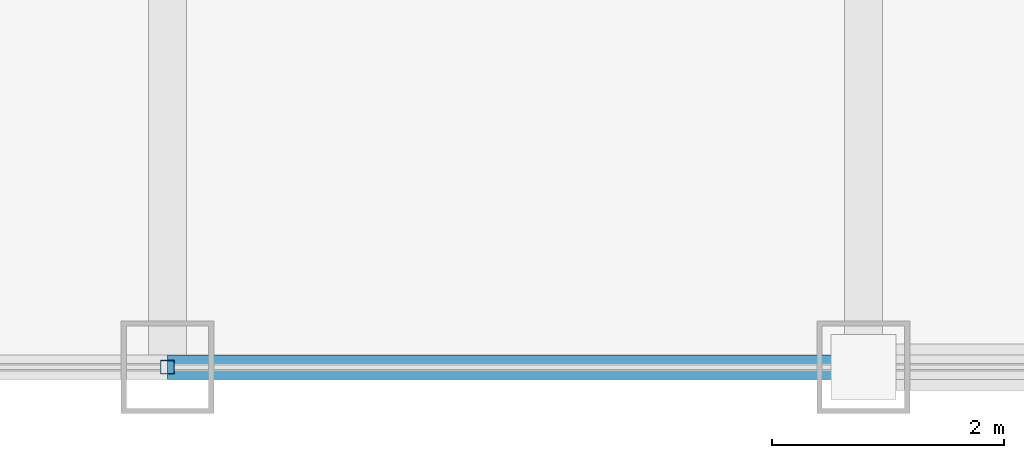
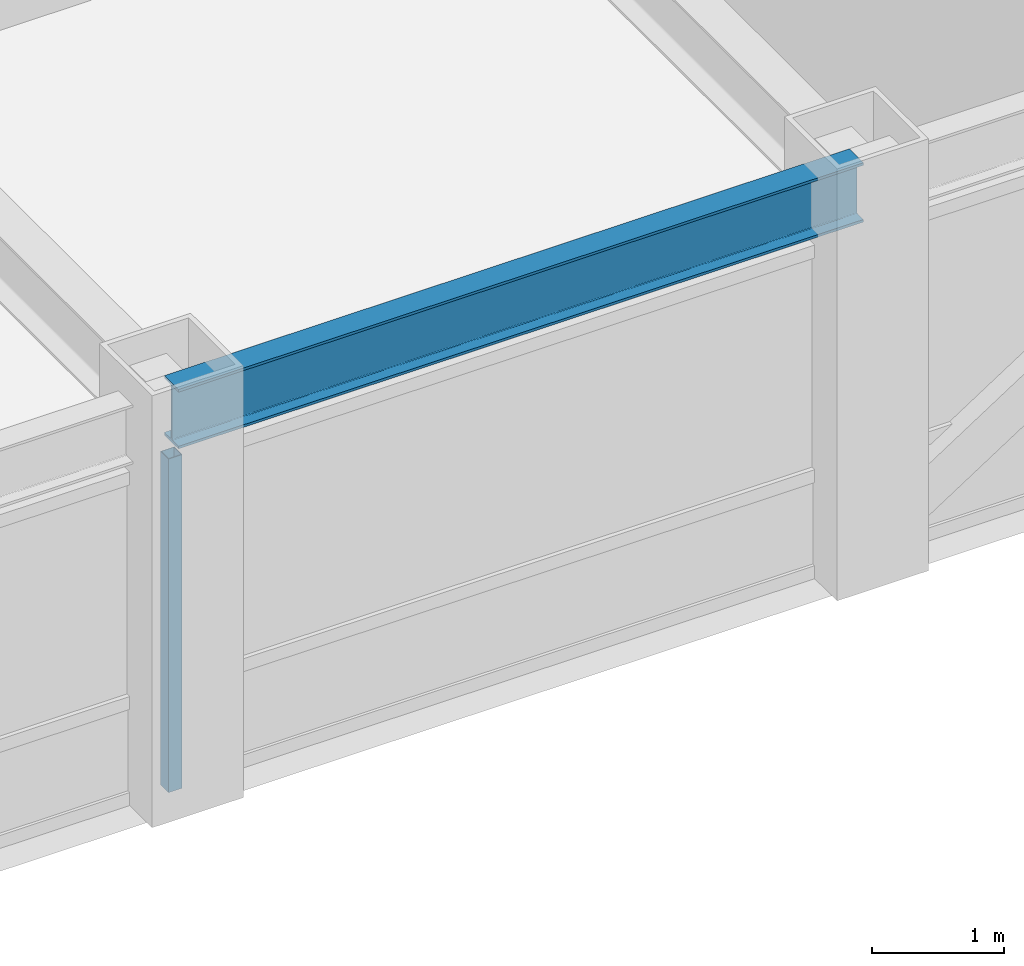
# One storey, part 4 of 28: 1 beam, 1 member, 1 element without a shape of its own.
"""IFC4 building model written with IfcOpenShell, lengths in metres."""

from ifc_helpers import new_model, si_unit, direction, frame, origin, origin_2d, place, context, subcontext, project, spatial, hollow_rectangle, i_section, extrude, source, transform, mapped, material, material_profile, profile_set, type_object, element, aggregate, save


model = new_model("IFC4")

# Units and contexts
model_context = context("Model", 3, precision=1e-05, world=origin(), true_north=direction((0.0, 1.0)))
body_context = subcontext(model_context, "Body", "Model", "MODEL_VIEW")
ifc_project = project(units=[si_unit("LENGTHUNIT", "METRE"), si_unit("AREAUNIT", "SQUARE_METRE"), si_unit("VOLUMEUNIT", "CUBIC_METRE"), si_unit("PLANEANGLEUNIT", "RADIAN"), si_unit("MASSUNIT", "GRAM", prefix="KILO")], contexts=[model_context])

# Site, building, storey
site_placement = place(None, origin())
site = spatial("IfcSite", under=ifc_project, at=site_placement, CompositionType="ELEMENT")
building_placement = place(site_placement, origin())
building = spatial("IfcBuilding", under=site, at=building_placement, Name="Khorayat Bourse Tower", CompositionType="ELEMENT")
storey_placement = place(building_placement, frame((0.0, 0.0, 338.300048828125)))
storey = spatial("IfcBuildingStorey", under=building, at=storey_placement, Name="L80", CompositionType="ELEMENT", Elevation=338.300048828125)

# Beam
ifc_material_1 = material(Name="Steel ASTM A992 Grade 50", Category="steel")
ifc_material_profile_1 = material_profile(ifc_material_1, i_section(OverallWidth=0.214111328125, OverallDepth=0.549072265625, WebThickness=0.0146484375, FlangeThickness=0.023681640625, FilletRadius=0.013916015625, at=origin_2d()), Name="W530X138")
ifc_profile_set_1 = profile_set([ifc_material_profile_1], Name="Steel ASTM A992 Grade 50")
beam_type = type_object("IfcBeamType", Name="BM-SPAN-530", PredefinedType="SPANDREL", material=ifc_profile_set_1)
shared_shape_1 = source(origin(), body_context, "Body", "SweptSolid", [
    extrude(i_section(OverallWidth=0.214111328125, OverallDepth=0.549072265625, WebThickness=0.0146484375, FlangeThickness=0.023681640625, FilletRadius=0.013916015625, at=origin_2d()), origin(), (0.0, 0.0, 1.0), 6.0),
])
beam_placement = place(storey_placement, frame((0.0, -26.0, 3.46533203125), z_axis=(1.0, 0.0, 0.0), x_axis=(0.0, 1.0, 0.0)))
element("IfcBeam", 1, at=beam_placement, inside=storey, type_object=beam_type, Name="L80 BM-SPAN-530 BM-L80-SPN-027", PredefinedType="SPANDREL", context=body_context, shape_type="MappedRepresentation", body=[
    mapped(shared_shape_1, transform((0.0, 0.0, 0.0), scale=1.0)),
])

# Curtain wall, member
ifc_material_2 = material(Name="Aluminium EN AW-6063 T6", Category="aluminium")
curtain_wall_type = type_object("IfcCurtainWallType", Name="CW-SYS-04", PredefinedType="NOTDEFINED", material=ifc_material_2)
curtain_wall_placement = place(storey_placement, origin())
curtain_wall = element("IfcCurtainWall", 2, at=curtain_wall_placement, inside=storey, type_object=curtain_wall_type, Name="L80 Curtain Wall CW-L80-S1", PredefinedType="NOTDEFINED")
ifc_material_profile_2 = material_profile(ifc_material_2, hollow_rectangle(XDim=0.1201171875, YDim=0.1201171875, WallThickness=0.0048828125, at=origin_2d()), Name="ALU 120x120x5")
ifc_profile_set_2 = profile_set([ifc_material_profile_2], Name="Aluminium EN AW-6063 T6")
member_type = type_object("IfcMemberType", Name="CWM-VERT-120", PredefinedType="MULLION", material=ifc_profile_set_2)
shared_shape_2 = source(origin(), body_context, "Body", "SweptSolid", [
    extrude(hollow_rectangle(XDim=0.1201171875, YDim=0.1201171875, WallThickness=0.0048828125, at=origin_2d()), origin(), (0.0, 0.0, 1.0), 3.08984375),
])
member_placement = place(storey_placement, frame((0.0, -26.0, 0.0), z_axis=(0.0, 0.0, 1.0), x_axis=(0.0, 1.0, 0.0)))
member = element("IfcMember", 3, at=member_placement, type_object=member_type, Name="CW-L80-S1 Vertical Mullion 2", PredefinedType="MULLION", context=body_context, shape_type="MappedRepresentation", body=[
    mapped(shared_shape_2, transform((0.0, 0.0, 0.0), scale=1.0)),
])
aggregate(curtain_wall, [member])

save(model, "model.ifc")
